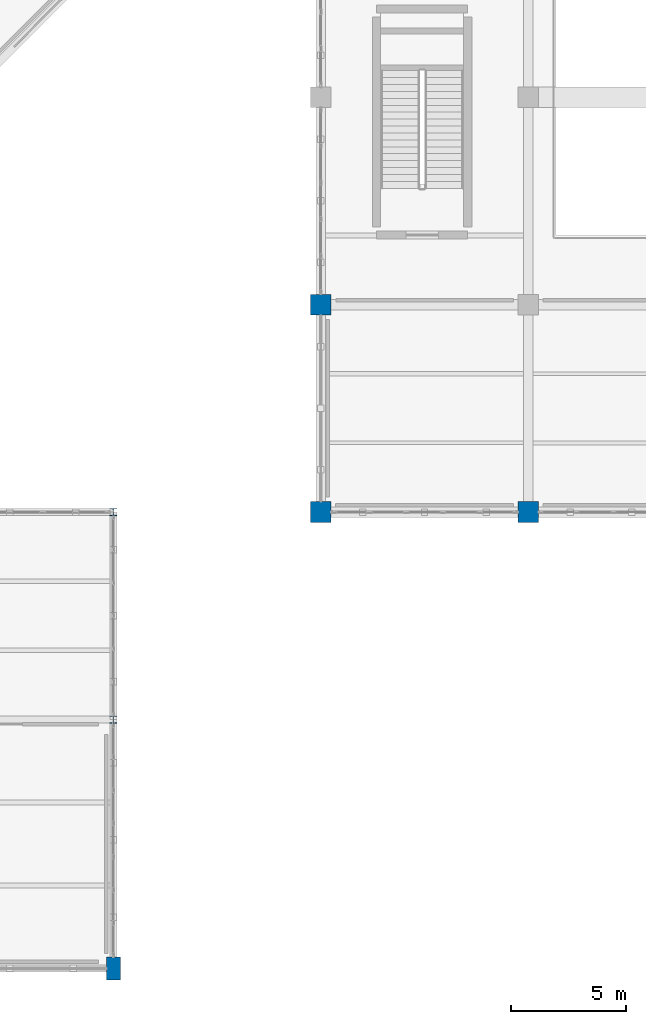
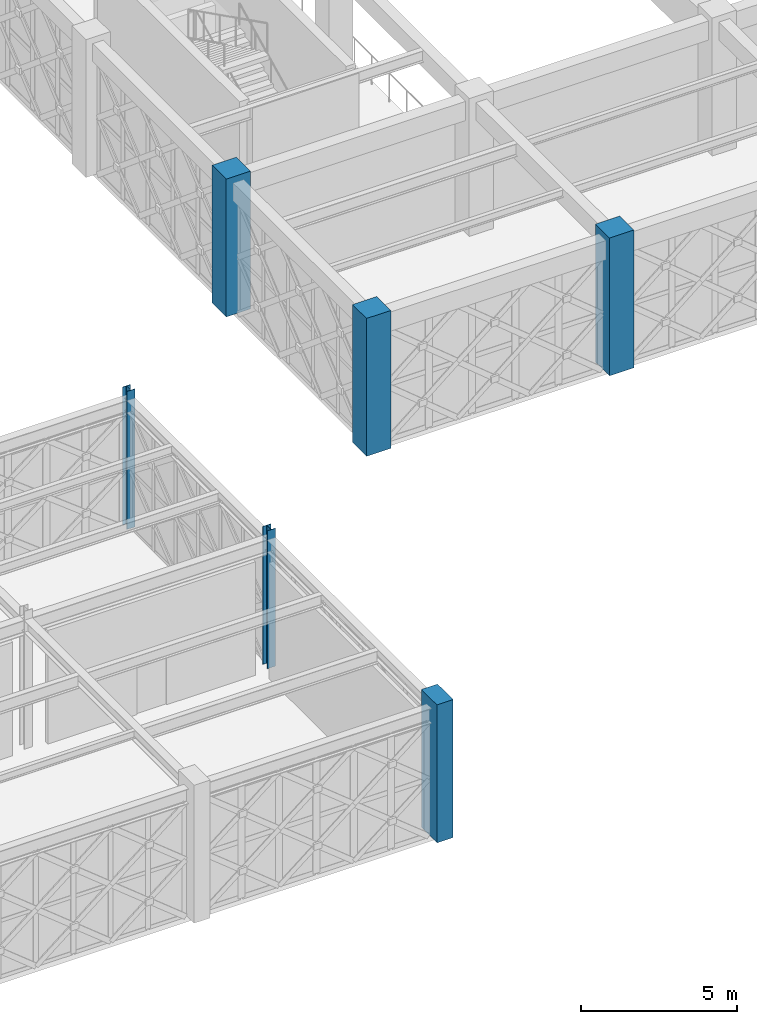
# One storey, part 4 of 155: 6 columns.
"""IFC4 building model written with IfcOpenShell, lengths in metres."""

from ifc_helpers import new_model, si_unit, direction, frame, origin, origin_2d, place, context, subcontext, project, spatial, rectangle, i_section, extrude, material, material_profile, profile_set, type_object, element, save


model = new_model("IFC4")

# Units and contexts
model_context = context("Model", 3, precision=1e-05, world=origin(), true_north=direction((0.0, 1.0)))
body_context = subcontext(model_context, "Body", "Model", "MODEL_VIEW")
ifc_project = project(units=[si_unit("LENGTHUNIT", "METRE"), si_unit("AREAUNIT", "SQUARE_METRE"), si_unit("VOLUMEUNIT", "CUBIC_METRE"), si_unit("PLANEANGLEUNIT", "RADIAN"), si_unit("MASSUNIT", "GRAM", prefix="KILO")], contexts=[model_context])

# Site, building, storey
site_placement = place(None, origin())
site = spatial("IfcSite", under=ifc_project, at=site_placement, CompositionType="ELEMENT")
building_placement = place(site_placement, origin())
building = spatial("IfcBuilding", under=site, at=building_placement, Name="Haizhuo Lancet Aquarium", CompositionType="ELEMENT")
storey_placement = place(building_placement, frame((0.0, 0.0, 10.800048828125)))
storey = spatial("IfcBuildingStorey", under=building, at=storey_placement, Name="L02", CompositionType="ELEMENT", Elevation=10.800048828125)

# Columns
ifc_material_1 = material(Name="Concrete C40/50", Category="concrete")
ifc_material_profile_1 = material_profile(ifc_material_1, rectangle(XDim=0.89990234375, YDim=0.89990234375, at=origin_2d()), Name="RC-COL 900x900")
ifc_profile_set_1 = profile_set([ifc_material_profile_1], Name="Concrete C40/50")
column_type_1 = type_object("IfcColumnType", Name="COL-RC-900", PredefinedType="COLUMN", material=ifc_profile_set_1)
for number, where, z_axis, x_axis, name in (
    (1, (27.0, -36.0, 0.0), (0.0, 0.0, 1.0), (1.0, 0.0, 0.0), "L02 column V3-COL-042"),
    (2, (27.0, -27.0, 0.0), (0.0, 0.0, 1.0), (1.0, 0.0, 0.0), "L02 column V3-COL-043"),
    (3, (36.0, -36.0, 0.0), (0.0, 0.0, 1.0), (1.0, 0.0, 0.0), "L02 column V3-COL-046"),
):
    element("IfcColumn", number, at=place(storey_placement, frame(where, z_axis=z_axis, x_axis=x_axis)), inside=storey, type_object=column_type_1, Name=name, PredefinedType="COLUMN", context=body_context, shape_type="SweptSolid", body=[
        extrude(rectangle(XDim=0.89990234375, YDim=0.89990234375, at=origin_2d()), origin(), (0.0, 0.0, 1.0), 5.39990234375),
    ])
ifc_material_2 = material(Name="Steel S355", Category="steel")
ifc_material_profile_2 = material_profile(ifc_material_2, i_section(OverallWidth=0.300048828125, OverallDepth=0.300048828125, WebThickness=0.010009765625, FlangeThickness=0.014892578125, FilletRadius=0.01806640625, at=origin_2d()), Name="HW 300x300x10x15")
ifc_profile_set_2 = profile_set([ifc_material_profile_2], Name="Steel S355")
column_type_2 = type_object("IfcColumnType", Name="COL-ST-HW300", PredefinedType="COLUMN", material=ifc_profile_set_2)
for number, where, z_axis, x_axis, name in (
    (4, (18.0, -45.0, 0.0), (0.0, 0.0, 1.0), (1.0, 0.0, 0.0), "L02 column V4-COL-083"),
    (5, (18.0, -36.0, 0.0), (0.0, 0.0, 1.0), (1.0, 0.0, 0.0), "L02 column V4-COL-084"),
):
    element("IfcColumn", number, at=place(storey_placement, frame(where, z_axis=z_axis, x_axis=x_axis)), inside=storey, type_object=column_type_2, Name=name, PredefinedType="COLUMN", context=body_context, shape_type="SweptSolid", body=[
        extrude(i_section(OverallWidth=0.300048828125, OverallDepth=0.300048828125, WebThickness=0.010009765625, FlangeThickness=0.014892578125, FilletRadius=0.01806640625, at=origin_2d()), origin(), (0.0, 0.0, 1.0), 5.39990234375),
    ])
ifc_material_3 = material(Name="Concrete C45/55", Category="concrete")
ifc_material_profile_3 = material_profile(ifc_material_3, rectangle(XDim=0.60009765625, YDim=1.0, at=origin_2d()), Name="RC-PIL 600x1000")
ifc_profile_set_3 = profile_set([ifc_material_profile_3], Name="Concrete C45/55")
column_type_3 = type_object("IfcColumnType", Name="PIL-RC-600x1000", PredefinedType="PILASTER", material=ifc_profile_set_3)
column_placement = place(storey_placement, frame((18.0, -55.800048828125, 0.0), z_axis=(0.0, 0.0, 1.0), x_axis=(1.0, 0.0, 0.0)))
element("IfcColumn", 6, at=column_placement, inside=storey, type_object=column_type_3, Name="L02 column V4-COL-082", PredefinedType="PILASTER", context=body_context, shape_type="SweptSolid", body=[
    extrude(rectangle(XDim=0.60009765625, YDim=1.0, at=origin_2d()), origin(), (0.0, 0.0, 1.0), 5.39990234375),
])

save(model, "model.ifc")
